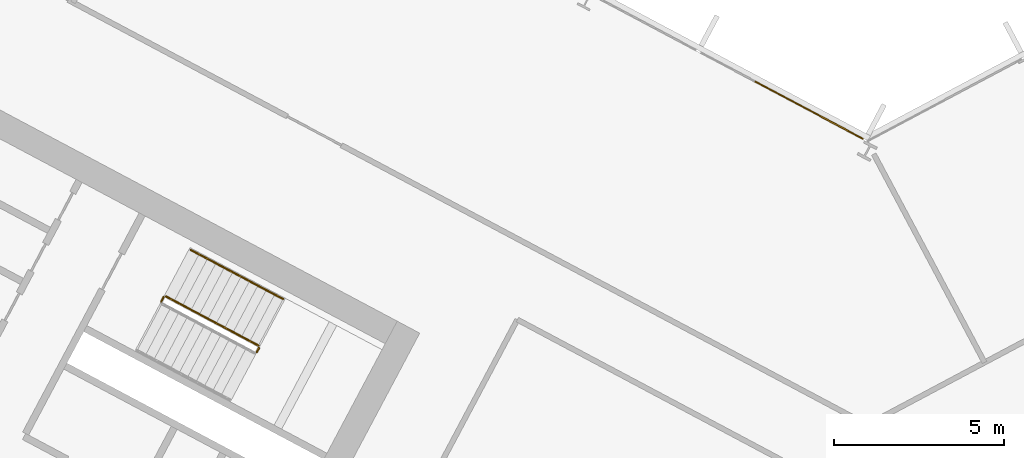
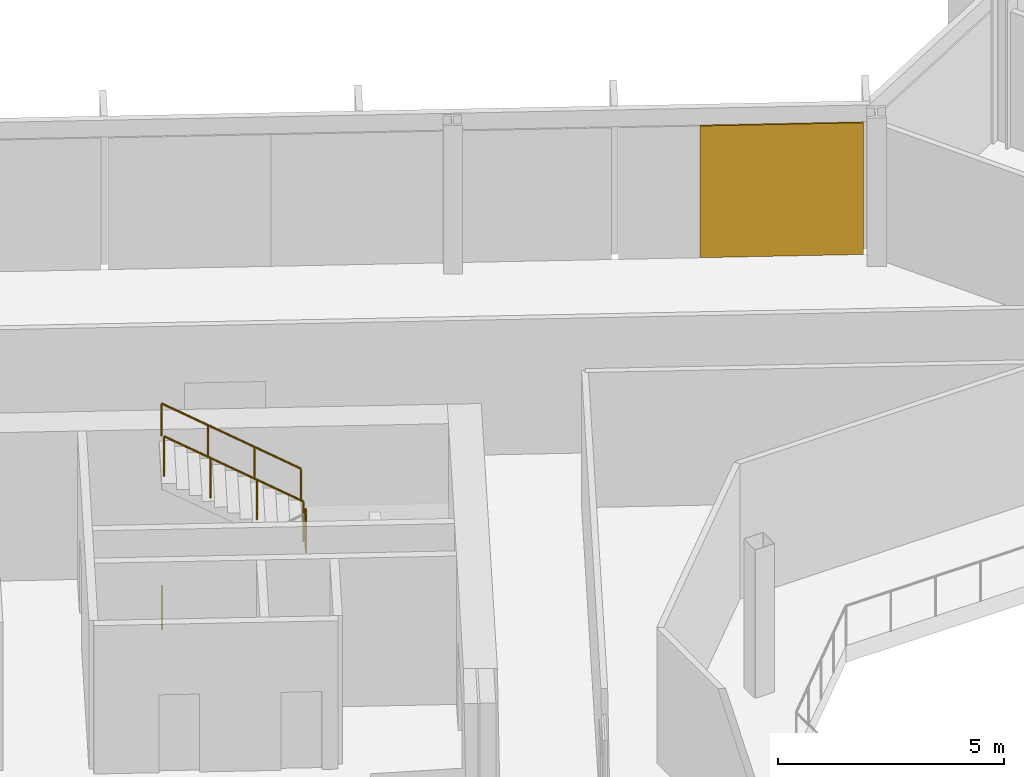
# One storey, part 28 of 34: 4 railings, 1 covering, 1 element without a shape of its own.
"""IFC4 building model written with IfcOpenShell, lengths in metres."""

from ifc_helpers import new_model, si_unit, direction, frame, origin, origin_2d, place, context, subcontext, project, spatial, polyline, rectangle, outline, extrude, material, layer, layer_set, type_object, element, aggregate, save


model = new_model("IFC4")

# Units and contexts
model_context = context("Model", 3, precision=1e-05, world=origin(), true_north=direction((0.0, 1.0)))
body_context = subcontext(model_context, "Body", "Model", "MODEL_VIEW")
ifc_project = project(units=[si_unit("LENGTHUNIT", "METRE"), si_unit("AREAUNIT", "SQUARE_METRE"), si_unit("VOLUMEUNIT", "CUBIC_METRE"), si_unit("PLANEANGLEUNIT", "RADIAN"), si_unit("MASSUNIT", "GRAM", prefix="KILO")], contexts=[model_context])

# Site, building, storey
site_placement = place(None, origin())
site = spatial("IfcSite", under=ifc_project, at=site_placement, CompositionType="ELEMENT")
building_placement = place(site_placement, origin())
building = spatial("IfcBuilding", under=site, at=building_placement, Name="Cormorant Relay Tower", CompositionType="ELEMENT")
storey_placement = place(building_placement, frame((0.0, 0.0, 118.199951171875)))
storey = spatial("IfcBuildingStorey", under=building, at=storey_placement, Name="L23", CompositionType="ELEMENT", Elevation=118.199951171875)

# Curtain wall, covering
ifc_material_1 = material(Name="Aluminium 6063-T6 anodised bronze", Category="aluminium")
ifc_layer_1 = layer(ifc_material_1, 0.199951171875)
ifc_layer_set_1 = layer_set([ifc_layer_1], Name="CW1 unitised bronze curtain wall with vertical fins")
curtain_wall_type = type_object("IfcCurtainWallType", Name="CW1 unitised bronze curtain wall with vertical fins", PredefinedType="NOTDEFINED", material=ifc_layer_set_1)
curtain_wall_placement = place(storey_placement, origin())
curtain_wall = element("IfcCurtainWall", 1, at=curtain_wall_placement, inside=storey, type_object=curtain_wall_type, Name="CW1 curtain wall 9", PredefinedType="NOTDEFINED")
ifc_material_2 = material(Name="Pale bronze anodised aluminium insulated panel", Category="aluminium")
ifc_layer_2 = layer(ifc_material_2, 0.0400390625)
ifc_layer_set_2 = layer_set([ifc_layer_2], Name="CW1 pale bronze insulated panel 40")
covering_type = type_object("IfcCoveringType", Name="CW1 pale bronze insulated panel 40", PredefinedType="CLADDING", material=ifc_layer_set_2)
covering_placement = place(storey_placement, frame((-1.718505859375, 24.720458984375, 0.0), z_axis=(0.0, 0.0, 1.0), x_axis=(-0.882947592859, 0.469471562786, 0.0)))
covering = element("IfcCovering", 2, at=covering_placement, type_object=covering_type, Name="CW1 panel S00", PredefinedType="CLADDING", context=body_context, shape_type="SweptSolid", body=[
    extrude(rectangle(XDim=3.614013671875, YDim=0.0400390625, at=origin_2d()), origin(), (0.0, 0.0, 1.0), 3.550048828125),
])
aggregate(curtain_wall, [covering])

# Railings
ifc_material_3 = material(Name="Steel ASTM A572 Grade 50 (Fy 345 MPa)", Category="steel")
railing_type_1 = type_object("IfcRailingType", Name="Stair guard 1100", PredefinedType="GUARDRAIL", material=ifc_material_3)
railing_1_placement = place(storey_placement, frame((-17.96337890625, 17.592529296875, 2.0)))
element("IfcRailing", 3, at=railing_1_placement, inside=storey, type_object=railing_type_1, Name="L23 A1 stair guard 2", PredefinedType="GUARDRAIL", context=body_context, shape_type="SweptSolid", body=[
    extrude(outline(polyline([(0.022216796875, 0.00927734375), (0.00927734375, 0.022216796875), (-0.00927734375, 0.022216796875), (-0.022216796875, 0.00927734375), (-0.022216796875, -0.00927734375), (-0.00927734375, -0.022216796875), (0.00927734375, -0.022216796875), (0.022216796875, -0.00927734375), (0.022216796875, 0.00927734375)])), frame((0.0, 0.0, 1.076171875), z_axis=(0.46856034887, 0.8834314911, 0.0), x_axis=(-0.8834314911, 0.46856034887, 0.0)), (0.0, 0.0, 1.0), 0.150146484375),
    extrude(outline(polyline([(0.019287109375, 0.008056640625), (0.008056640625, 0.019287109375), (-0.008056640625, 0.019287109375), (-0.019287109375, 0.008056640625), (-0.019287109375, -0.008056640625), (-0.008056640625, -0.019287109375), (0.008056640625, -0.019287109375), (0.019287109375, -0.008056640625), (0.019287109375, 0.008056640625)])), origin(), (0.0, 0.0, 1.0), 1.052001953125),
    extrude(outline(polyline([(0.019287109375, 0.008056640625), (0.008056640625, 0.019287109375), (-0.008056640625, 0.019287109375), (-0.019287109375, 0.008056640625), (-0.019287109375, -0.008056640625), (-0.008056640625, -0.019287109375), (0.008056640625, -0.019287109375), (0.019287109375, -0.008056640625), (0.019287109375, 0.008056640625)])), frame((0.0703125, 0.132568359375, 0.0)), (0.0, 0.0, 1.0), 1.052001953125),
])
railing_2_placement = place(storey_placement, frame((-17.913818359375, 17.792724609375, 2.166748046875)))
element("IfcRailing", 4, at=railing_2_placement, inside=storey, type_object=railing_type_1, Name="L23 A1 stair guard 3", PredefinedType="GUARDRAIL", context=body_context, shape_type="SweptSolid", body=[
    extrude(outline(polyline([(0.022216796875, 0.00927734375), (0.00927734375, 0.022216796875), (-0.00927734375, 0.022216796875), (-0.022216796875, 0.00927734375), (-0.022216796875, -0.00927734375), (-0.00927734375, -0.022216796875), (0.00927734375, -0.022216796875), (0.022216796875, -0.00927734375), (0.022216796875, 0.00927734375)])), frame((0.0, 0.0, 1.076171875), z_axis=(-0.758734504837, 0.403377838015, 0.511476559549), x_axis=(-0.469427602063, -0.882970965786, 0.0)), (0.0, 0.0, 1.0), 3.584228515625),
    extrude(outline(polyline([(0.019287109375, 0.008056640625), (0.008056640625, 0.019287109375), (-0.008056640625, 0.019287109375), (-0.019287109375, 0.008056640625), (-0.019287109375, -0.008056640625), (-0.008056640625, -0.019287109375), (0.008056640625, -0.019287109375), (0.019287109375, -0.008056640625), (0.019287109375, 0.008056640625)])), origin(), (0.0, 0.0, 1.0), 1.052001953125),
    extrude(outline(polyline([(0.019287109375, 0.008056640625), (0.008056640625, 0.019287109375), (-0.008056640625, 0.019287109375), (-0.019287109375, 0.008056640625), (-0.019287109375, -0.008056640625), (-0.008056640625, -0.019287109375), (0.008056640625, -0.019287109375), (0.019287109375, -0.008056640625), (0.019287109375, 0.008056640625)])), frame((-0.906494140625, 0.48193359375, 0.611083984375)), (0.0, 0.0, 1.0), 1.052001953125),
    extrude(outline(polyline([(0.019287109375, 0.008056640625), (0.008056640625, 0.019287109375), (-0.008056640625, 0.019287109375), (-0.019287109375, 0.008056640625), (-0.019287109375, -0.008056640625), (-0.008056640625, -0.019287109375), (0.008056640625, -0.019287109375), (0.019287109375, -0.008056640625), (0.019287109375, 0.008056640625)])), frame((-1.81298828125, 0.9638671875, 1.22216796875)), (0.0, 0.0, 1.0), 1.052001953125),
    extrude(outline(polyline([(0.019287109375, 0.008056640625), (0.008056640625, 0.019287109375), (-0.008056640625, 0.019287109375), (-0.019287109375, 0.008056640625), (-0.019287109375, -0.008056640625), (-0.008056640625, -0.019287109375), (0.008056640625, -0.019287109375), (0.019287109375, -0.008056640625), (0.019287109375, 0.008056640625)])), frame((-2.719482421875, 1.44580078125, 1.833251953125)), (0.0, 0.0, 1.0), 1.052001953125),
])
railing_3_placement = place(storey_placement, frame((-20.771240234375, 19.08544921875, 0.0)))
element("IfcRailing", 5, at=railing_3_placement, inside=storey, type_object=railing_type_1, Name="L23 A1 stair guard 4", PredefinedType="GUARDRAIL", context=body_context, shape_type="SweptSolid", body=[
    extrude(outline(polyline([(0.022216796875, 0.00927734375), (0.00927734375, 0.022216796875), (-0.00927734375, 0.022216796875), (-0.022216796875, 0.00927734375), (-0.022216796875, -0.00927734375), (-0.00927734375, -0.022216796875), (0.00927734375, -0.022216796875), (0.022216796875, -0.00927734375), (0.022216796875, 0.00927734375)])), frame((0.0, 0.0, 1.076171875), z_axis=(0.469828648786, 0.882757634224, 0.0), x_axis=(-0.882757634224, 0.469828648786, 0.0)), (0.0, 0.0, 1.0), 0.150146484375),
    extrude(outline(polyline([(0.019287109375, 0.008056640625), (0.008056640625, 0.019287109375), (-0.008056640625, 0.019287109375), (-0.019287109375, 0.008056640625), (-0.019287109375, -0.008056640625), (-0.008056640625, -0.019287109375), (0.008056640625, -0.019287109375), (0.019287109375, -0.008056640625), (0.019287109375, 0.008056640625)])), origin(), (0.0, 0.0, 1.0), 1.052001953125),
    extrude(outline(polyline([(0.019287109375, 0.008056640625), (0.008056640625, 0.019287109375), (-0.008056640625, 0.019287109375), (-0.019287109375, 0.008056640625), (-0.019287109375, -0.008056640625), (-0.008056640625, -0.019287109375), (0.008056640625, -0.019287109375), (0.019287109375, -0.008056640625), (0.019287109375, 0.008056640625)])), frame((0.070556640625, 0.132568359375, 0.0)), (0.0, 0.0, 1.0), 1.052001953125),
])
ifc_material_4 = material(Name="Steel ASTM A572 Grade 50 (Fy 345 MPa)", Category="steel")
railing_type_2 = type_object("IfcRailingType", Name="Stair handrail 900", PredefinedType="HANDRAIL", material=ifc_material_4)
railing_4_placement = place(storey_placement, frame((-17.18603515625, 19.1611328125, 2.166748046875)))
element("IfcRailing", 6, at=railing_4_placement, inside=storey, type_object=railing_type_2, Name="L23 A1 stair handrail 2", PredefinedType="HANDRAIL", context=body_context, shape_type="SweptSolid", body=[
    extrude(outline(polyline([(0.022216796875, 0.00927734375), (0.00927734375, 0.022216796875), (-0.00927734375, 0.022216796875), (-0.022216796875, 0.00927734375), (-0.022216796875, -0.00927734375), (-0.00927734375, -0.022216796875), (0.00927734375, -0.022216796875), (0.022216796875, -0.00927734375), (0.022216796875, 0.00927734375)])), frame((0.0, 0.0, 0.8759765625), z_axis=(-0.758713656843, 0.403434867536, 0.511462505542), x_axis=(-0.469489399267, -0.882938108802, 0.0)), (0.0, 0.0, 1.0), 3.584228515625),
    extrude(outline(polyline([(0.019287109375, 0.008056640625), (0.008056640625, 0.019287109375), (-0.008056640625, 0.019287109375), (-0.019287109375, 0.008056640625), (-0.019287109375, -0.008056640625), (-0.008056640625, -0.019287109375), (0.008056640625, -0.019287109375), (0.019287109375, -0.008056640625), (0.019287109375, 0.008056640625)])), origin(), (0.0, 0.0, 1.0), 0.851806640625),
    extrude(outline(polyline([(0.019287109375, 0.008056640625), (0.008056640625, 0.019287109375), (-0.008056640625, 0.019287109375), (-0.019287109375, 0.008056640625), (-0.019287109375, -0.008056640625), (-0.008056640625, -0.019287109375), (0.008056640625, -0.019287109375), (0.019287109375, -0.008056640625), (0.019287109375, 0.008056640625)])), frame((-0.906494140625, 0.48193359375, 0.611083984375)), (0.0, 0.0, 1.0), 0.851806640625),
    extrude(outline(polyline([(0.019287109375, 0.008056640625), (0.008056640625, 0.019287109375), (-0.008056640625, 0.019287109375), (-0.019287109375, 0.008056640625), (-0.019287109375, -0.008056640625), (-0.008056640625, -0.019287109375), (0.008056640625, -0.019287109375), (0.019287109375, -0.008056640625), (0.019287109375, 0.008056640625)])), frame((-1.81298828125, 0.964111328125, 1.22216796875)), (0.0, 0.0, 1.0), 0.851806640625),
    extrude(outline(polyline([(0.019287109375, 0.008056640625), (0.008056640625, 0.019287109375), (-0.008056640625, 0.019287109375), (-0.019287109375, 0.008056640625), (-0.019287109375, -0.008056640625), (-0.008056640625, -0.019287109375), (0.008056640625, -0.019287109375), (0.019287109375, -0.008056640625), (0.019287109375, 0.008056640625)])), frame((-2.719482421875, 1.446044921875, 1.833251953125)), (0.0, 0.0, 1.0), 0.851806640625),
])

save(model, "model.ifc")
